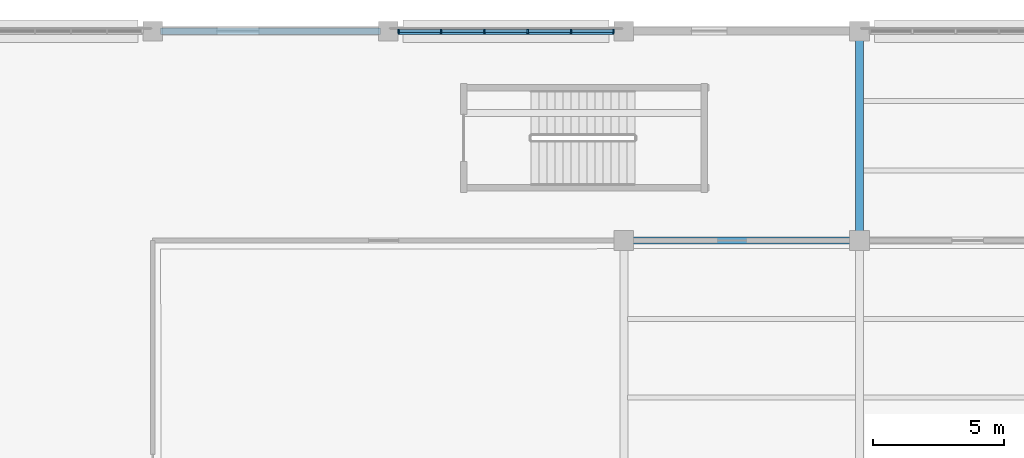
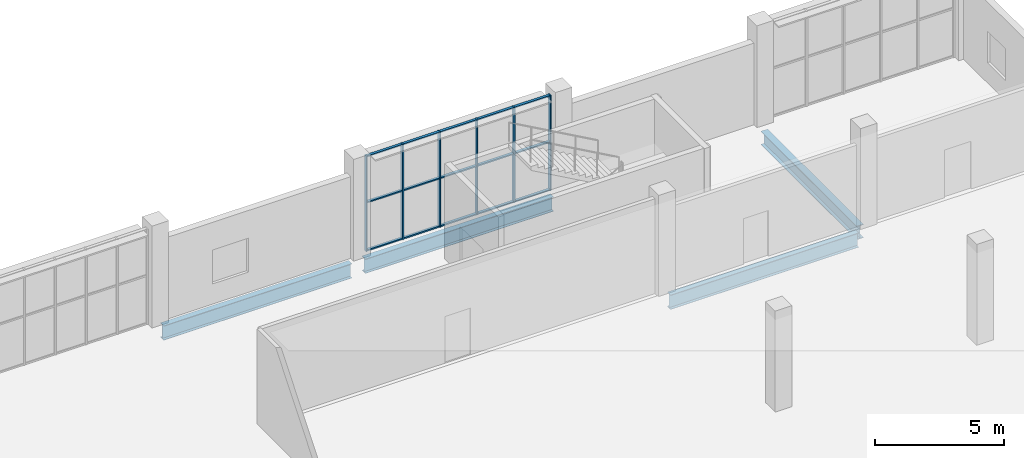
# One storey, part 73 of 179: 21 members, 4 beams, 1 element without a shape of its own.
"""IFC4 building model written with IfcOpenShell, lengths in metres."""

from ifc_helpers import new_model, si_unit, direction, frame, origin, origin_2d, place, context, subcontext, project, spatial, rectangle, i_section, extrude, material, material_profile, profile_set, type_object, element, aggregate, save


model = new_model("IFC4")

# Units and contexts
model_context = context("Model", 3, precision=1e-05, world=origin(), true_north=direction((0.0, 1.0)))
body_context = subcontext(model_context, "Body", "Model", "MODEL_VIEW")
ifc_project = project(units=[si_unit("LENGTHUNIT", "METRE"), si_unit("AREAUNIT", "SQUARE_METRE"), si_unit("VOLUMEUNIT", "CUBIC_METRE"), si_unit("PLANEANGLEUNIT", "RADIAN"), si_unit("MASSUNIT", "GRAM", prefix="KILO")], contexts=[model_context])

# Site, building, storey
site_placement = place(None, origin())
site = spatial("IfcSite", under=ifc_project, at=site_placement, CompositionType="ELEMENT")
building_placement = place(site_placement, origin())
building = spatial("IfcBuilding", under=site, at=building_placement, Name="Zevraka Park Crest Stadium", CompositionType="ELEMENT")
storey_placement = place(building_placement, frame((0.0, 0.0, 10.199951171875)))
storey = spatial("IfcBuildingStorey", under=building, at=storey_placement, Name="L02", CompositionType="ELEMENT", Elevation=10.199951171875)

# Beams
ifc_material_1 = material(Name="Steel S355", Category="steel")
ifc_material_profile_1 = material_profile(ifc_material_1, i_section(OverallWidth=0.253662109375, OverallDepth=0.68359375, WebThickness=0.012451171875, FlangeThickness=0.01904296875, at=origin_2d()), Name="UKB 686x254x140")
ifc_profile_set_1 = profile_set([ifc_material_profile_1], Name="Steel S355")
beam_type_1 = type_object("IfcBeamType", Name="BG05", PredefinedType="BEAM", material=ifc_profile_set_1)
for number, where, z_axis, x_axis, name in (
    (1, (188.300048828125, 184.0, -0.629638671875), (1.0, 0.0, 0.0), (0.0, 1.0, 0.0), "Wing Girder BG05 L02-2122/W"),
    (2, (197.300048828125, 184.0, -0.629638671875), (1.0, 0.0, 0.0), (0.0, 1.0, 0.0), "Wing Girder BG05 L02-2223/W"),
    (3, (206.300048828125, 176.0, -0.629638671875), (1.0, 0.0, 0.0), (0.0, 1.0, 0.0), "Wing Girder BG05 L02-2324/V"),
):
    element("IfcBeam", number, at=place(storey_placement, frame(where, z_axis=z_axis, x_axis=x_axis)), inside=storey, type_object=beam_type_1, Name=name, PredefinedType="BEAM", context=body_context, shape_type="SweptSolid", body=[
        extrude(i_section(OverallWidth=0.253662109375, OverallDepth=0.68359375, WebThickness=0.012451171875, FlangeThickness=0.01904296875, at=origin_2d()), origin(), (0.0, 0.0, 1.0), 8.39990234375),
    ])
ifc_material_2 = material(Name="Steel S355", Category="steel")
ifc_material_profile_2 = material_profile(ifc_material_2, i_section(OverallWidth=0.300048828125, OverallDepth=0.64990234375, WebThickness=0.01611328125, FlangeThickness=0.031005859375, at=origin_2d()), Name="HEB 650")
ifc_profile_set_2 = profile_set([ifc_material_profile_2], Name="Steel S355")
beam_type_2 = type_object("IfcBeamType", Name="BG07", PredefinedType="BEAM", material=ifc_profile_set_2)
beam_placement = place(storey_placement, frame((215.0, 176.300048828125, -0.613037109375), z_axis=(0.0, 1.0, 0.0), x_axis=(-1.0, 0.0, 0.0)))
element("IfcBeam", 4, at=beam_placement, inside=storey, type_object=beam_type_2, Name="Wing Girder BG07 L02-24/VW", PredefinedType="BEAM", context=body_context, shape_type="SweptSolid", body=[
    extrude(i_section(OverallWidth=0.300048828125, OverallDepth=0.64990234375, WebThickness=0.01611328125, FlangeThickness=0.031005859375, at=origin_2d()), origin(), (0.0, 0.0, 1.0), 7.39990234375),
])

# Curtain wall, members
ifc_material_3 = material(Name="Anodised architectural aluminium and laminated safety glass", Category="aluminium")
curtain_wall_type = type_object("IfcCurtainWallType", Name="CW28", PredefinedType="NOTDEFINED", material=ifc_material_3)
curtain_wall_placement = place(storey_placement, origin())
curtain_wall = element("IfcCurtainWall", 5, at=curtain_wall_placement, inside=storey, type_object=curtain_wall_type, Name="Wing Curtain Wall CW28 L02-NGATE-N-6", PredefinedType="NOTDEFINED")
ifc_material_4 = material(Name="Anodised architectural aluminium", Category="aluminium")
ifc_material_profile_3 = material_profile(ifc_material_4, rectangle(XDim=0.159912109375, YDim=0.06005859375, at=origin_2d()), Name="ALU MULLION 160x60")
ifc_profile_set_3 = profile_set([ifc_material_profile_3], Name="Anodised architectural aluminium")
member_type_1 = type_object("IfcMemberType", Name="CM01", PredefinedType="MULLION", material=ifc_profile_set_3)
member_1_placement = place(storey_placement, frame((197.39501953125, 184.0, 0.0), z_axis=(0.0, 0.0, 1.0), x_axis=(0.0, 1.0, 0.0)))
member_1 = element("IfcMember", 6, at=member_1_placement, type_object=member_type_1, Name="CW28 mullion 1", PredefinedType="MULLION", context=body_context, shape_type="SweptSolid", body=[
    extrude(rectangle(XDim=0.159912109375, YDim=0.06005859375, at=origin_2d()), origin(), (0.0, 0.0, 1.0), 4.5),
])
member_2_placement = place(storey_placement, frame((199.01904296875, 184.0, 0.0), z_axis=(0.0, 0.0, 1.0), x_axis=(0.0, 1.0, 0.0)))
member_2 = element("IfcMember", 7, at=member_2_placement, type_object=member_type_1, Name="CW28 mullion 2", PredefinedType="MULLION", context=body_context, shape_type="SweptSolid", body=[
    extrude(rectangle(XDim=0.159912109375, YDim=0.06005859375, at=origin_2d()), origin(), (0.0, 0.0, 1.0), 4.5),
])
member_3_placement = place(storey_placement, frame((200.673095703125, 184.0, 0.0), z_axis=(0.0, 0.0, 1.0), x_axis=(0.0, 1.0, 0.0)))
member_3 = element("IfcMember", 8, at=member_3_placement, type_object=member_type_1, Name="CW28 mullion 3", PredefinedType="MULLION", context=body_context, shape_type="SweptSolid", body=[
    extrude(rectangle(XDim=0.159912109375, YDim=0.06005859375, at=origin_2d()), origin(), (0.0, 0.0, 1.0), 4.5),
])
member_4_placement = place(storey_placement, frame((202.326904296875, 184.0, 0.0), z_axis=(0.0, 0.0, 1.0), x_axis=(0.0, 1.0, 0.0)))
member_4 = element("IfcMember", 9, at=member_4_placement, type_object=member_type_1, Name="CW28 mullion 4", PredefinedType="MULLION", context=body_context, shape_type="SweptSolid", body=[
    extrude(rectangle(XDim=0.159912109375, YDim=0.06005859375, at=origin_2d()), origin(), (0.0, 0.0, 1.0), 4.5),
])
member_5_placement = place(storey_placement, frame((203.98095703125, 184.0, 0.0), z_axis=(0.0, 0.0, 1.0), x_axis=(0.0, 1.0, 0.0)))
member_5 = element("IfcMember", 10, at=member_5_placement, type_object=member_type_1, Name="CW28 mullion 5", PredefinedType="MULLION", context=body_context, shape_type="SweptSolid", body=[
    extrude(rectangle(XDim=0.159912109375, YDim=0.06005859375, at=origin_2d()), origin(), (0.0, 0.0, 1.0), 4.5),
])
member_6_placement = place(storey_placement, frame((205.60498046875, 184.0, 0.0), z_axis=(0.0, 0.0, 1.0), x_axis=(0.0, 1.0, 0.0)))
member_6 = element("IfcMember", 11, at=member_6_placement, type_object=member_type_1, Name="CW28 mullion 6", PredefinedType="MULLION", context=body_context, shape_type="SweptSolid", body=[
    extrude(rectangle(XDim=0.159912109375, YDim=0.06005859375, at=origin_2d()), origin(), (0.0, 0.0, 1.0), 4.5),
])
ifc_material_5 = material(Name="Anodised architectural aluminium", Category="aluminium")
ifc_material_profile_4 = material_profile(ifc_material_5, rectangle(XDim=0.1201171875, YDim=0.06005859375, at=origin_2d()), Name="ALU TRANSOM 120x60")
ifc_profile_set_4 = profile_set([ifc_material_profile_4], Name="Anodised architectural aluminium")
member_type_2 = type_object("IfcMemberType", Name="CT01", PredefinedType="USERDEFINED", material=ifc_profile_set_4)
member_7_placement = place(storey_placement, frame((197.425048828125, 184.0, 0.030029296875), z_axis=(1.0, 0.0, 0.0), x_axis=(0.0, 1.0, 0.0)))
member_7 = element("IfcMember", 12, at=member_7_placement, type_object=member_type_2, Name="CW28 transom 1.1", ObjectType="TRANSOM", PredefinedType="USERDEFINED", context=body_context, shape_type="SweptSolid", body=[
    extrude(rectangle(XDim=0.1201171875, YDim=0.06005859375, at=origin_2d()), origin(), (0.0, 0.0, 1.0), 1.56396484375),
])
member_8_placement = place(storey_placement, frame((197.425048828125, 184.0, 2.300048828125), z_axis=(1.0, 0.0, 0.0), x_axis=(0.0, 1.0, 0.0)))
member_8 = element("IfcMember", 13, at=member_8_placement, type_object=member_type_2, Name="CW28 transom 1.2", ObjectType="TRANSOM", PredefinedType="USERDEFINED", context=body_context, shape_type="SweptSolid", body=[
    extrude(rectangle(XDim=0.1201171875, YDim=0.06005859375, at=origin_2d()), origin(), (0.0, 0.0, 1.0), 1.56396484375),
])
member_9_placement = place(storey_placement, frame((197.425048828125, 184.0, 4.469970703125), z_axis=(1.0, 0.0, 0.0), x_axis=(0.0, 1.0, 0.0)))
member_9 = element("IfcMember", 14, at=member_9_placement, type_object=member_type_2, Name="CW28 transom 1.3", ObjectType="TRANSOM", PredefinedType="USERDEFINED", context=body_context, shape_type="SweptSolid", body=[
    extrude(rectangle(XDim=0.1201171875, YDim=0.06005859375, at=origin_2d()), origin(), (0.0, 0.0, 1.0), 1.56396484375),
])
member_10_placement = place(storey_placement, frame((199.049072265625, 184.0, 0.030029296875), z_axis=(1.0, 0.0, 0.0), x_axis=(0.0, 1.0, 0.0)))
member_10 = element("IfcMember", 15, at=member_10_placement, type_object=member_type_2, Name="CW28 transom 2.1", ObjectType="TRANSOM", PredefinedType="USERDEFINED", context=body_context, shape_type="SweptSolid", body=[
    extrude(rectangle(XDim=0.1201171875, YDim=0.06005859375, at=origin_2d()), origin(), (0.0, 0.0, 1.0), 1.593994140625),
])
member_11_placement = place(storey_placement, frame((199.049072265625, 184.0, 2.300048828125), z_axis=(1.0, 0.0, 0.0), x_axis=(0.0, 1.0, 0.0)))
member_11 = element("IfcMember", 16, at=member_11_placement, type_object=member_type_2, Name="CW28 transom 2.2", ObjectType="TRANSOM", PredefinedType="USERDEFINED", context=body_context, shape_type="SweptSolid", body=[
    extrude(rectangle(XDim=0.1201171875, YDim=0.06005859375, at=origin_2d()), origin(), (0.0, 0.0, 1.0), 1.593994140625),
])
member_12_placement = place(storey_placement, frame((199.049072265625, 184.0, 4.469970703125), z_axis=(1.0, 0.0, 0.0), x_axis=(0.0, 1.0, 0.0)))
member_12 = element("IfcMember", 17, at=member_12_placement, type_object=member_type_2, Name="CW28 transom 2.3", ObjectType="TRANSOM", PredefinedType="USERDEFINED", context=body_context, shape_type="SweptSolid", body=[
    extrude(rectangle(XDim=0.1201171875, YDim=0.06005859375, at=origin_2d()), origin(), (0.0, 0.0, 1.0), 1.593994140625),
])
member_13_placement = place(storey_placement, frame((200.702880859375, 184.0, 0.030029296875), z_axis=(1.0, 0.0, 0.0), x_axis=(0.0, 1.0, 0.0)))
member_13 = element("IfcMember", 18, at=member_13_placement, type_object=member_type_2, Name="CW28 transom 3.1", ObjectType="TRANSOM", PredefinedType="USERDEFINED", context=body_context, shape_type="SweptSolid", body=[
    extrude(rectangle(XDim=0.1201171875, YDim=0.06005859375, at=origin_2d()), origin(), (0.0, 0.0, 1.0), 1.59423828125),
])
member_14_placement = place(storey_placement, frame((200.702880859375, 184.0, 2.300048828125), z_axis=(1.0, 0.0, 0.0), x_axis=(0.0, 1.0, 0.0)))
member_14 = element("IfcMember", 19, at=member_14_placement, type_object=member_type_2, Name="CW28 transom 3.2", ObjectType="TRANSOM", PredefinedType="USERDEFINED", context=body_context, shape_type="SweptSolid", body=[
    extrude(rectangle(XDim=0.1201171875, YDim=0.06005859375, at=origin_2d()), origin(), (0.0, 0.0, 1.0), 1.59423828125),
])
member_15_placement = place(storey_placement, frame((200.702880859375, 184.0, 4.469970703125), z_axis=(1.0, 0.0, 0.0), x_axis=(0.0, 1.0, 0.0)))
member_15 = element("IfcMember", 20, at=member_15_placement, type_object=member_type_2, Name="CW28 transom 3.3", ObjectType="TRANSOM", PredefinedType="USERDEFINED", context=body_context, shape_type="SweptSolid", body=[
    extrude(rectangle(XDim=0.1201171875, YDim=0.06005859375, at=origin_2d()), origin(), (0.0, 0.0, 1.0), 1.59423828125),
])
member_16_placement = place(storey_placement, frame((202.35693359375, 184.0, 0.030029296875), z_axis=(1.0, 0.0, 0.0), x_axis=(0.0, 1.0, 0.0)))
member_16 = element("IfcMember", 21, at=member_16_placement, type_object=member_type_2, Name="CW28 transom 4.1", ObjectType="TRANSOM", PredefinedType="USERDEFINED", context=body_context, shape_type="SweptSolid", body=[
    extrude(rectangle(XDim=0.1201171875, YDim=0.06005859375, at=origin_2d()), origin(), (0.0, 0.0, 1.0), 1.593994140625),
])
member_17_placement = place(storey_placement, frame((202.35693359375, 184.0, 2.300048828125), z_axis=(1.0, 0.0, 0.0), x_axis=(0.0, 1.0, 0.0)))
member_17 = element("IfcMember", 22, at=member_17_placement, type_object=member_type_2, Name="CW28 transom 4.2", ObjectType="TRANSOM", PredefinedType="USERDEFINED", context=body_context, shape_type="SweptSolid", body=[
    extrude(rectangle(XDim=0.1201171875, YDim=0.06005859375, at=origin_2d()), origin(), (0.0, 0.0, 1.0), 1.593994140625),
])
member_18_placement = place(storey_placement, frame((202.35693359375, 184.0, 4.469970703125), z_axis=(1.0, 0.0, 0.0), x_axis=(0.0, 1.0, 0.0)))
member_18 = element("IfcMember", 23, at=member_18_placement, type_object=member_type_2, Name="CW28 transom 4.3", ObjectType="TRANSOM", PredefinedType="USERDEFINED", context=body_context, shape_type="SweptSolid", body=[
    extrude(rectangle(XDim=0.1201171875, YDim=0.06005859375, at=origin_2d()), origin(), (0.0, 0.0, 1.0), 1.593994140625),
])
member_19_placement = place(storey_placement, frame((204.010986328125, 184.0, 0.030029296875), z_axis=(1.0, 0.0, 0.0), x_axis=(0.0, 1.0, 0.0)))
member_19 = element("IfcMember", 24, at=member_19_placement, type_object=member_type_2, Name="CW28 transom 5.1", ObjectType="TRANSOM", PredefinedType="USERDEFINED", context=body_context, shape_type="SweptSolid", body=[
    extrude(rectangle(XDim=0.1201171875, YDim=0.06005859375, at=origin_2d()), origin(), (0.0, 0.0, 1.0), 1.56396484375),
])
member_20_placement = place(storey_placement, frame((204.010986328125, 184.0, 2.300048828125), z_axis=(1.0, 0.0, 0.0), x_axis=(0.0, 1.0, 0.0)))
member_20 = element("IfcMember", 25, at=member_20_placement, type_object=member_type_2, Name="CW28 transom 5.2", ObjectType="TRANSOM", PredefinedType="USERDEFINED", context=body_context, shape_type="SweptSolid", body=[
    extrude(rectangle(XDim=0.1201171875, YDim=0.06005859375, at=origin_2d()), origin(), (0.0, 0.0, 1.0), 1.56396484375),
])
member_21_placement = place(storey_placement, frame((204.010986328125, 184.0, 4.469970703125), z_axis=(1.0, 0.0, 0.0), x_axis=(0.0, 1.0, 0.0)))
member_21 = element("IfcMember", 26, at=member_21_placement, type_object=member_type_2, Name="CW28 transom 5.3", ObjectType="TRANSOM", PredefinedType="USERDEFINED", context=body_context, shape_type="SweptSolid", body=[
    extrude(rectangle(XDim=0.1201171875, YDim=0.06005859375, at=origin_2d()), origin(), (0.0, 0.0, 1.0), 1.56396484375),
])
aggregate(curtain_wall, [member_1, member_2, member_3, member_4, member_5, member_6, member_7, member_8, member_9, member_10, member_11, member_12, member_13, member_14, member_15, member_16, member_17, member_18, member_19, member_20, member_21])

save(model, "model.ifc")
